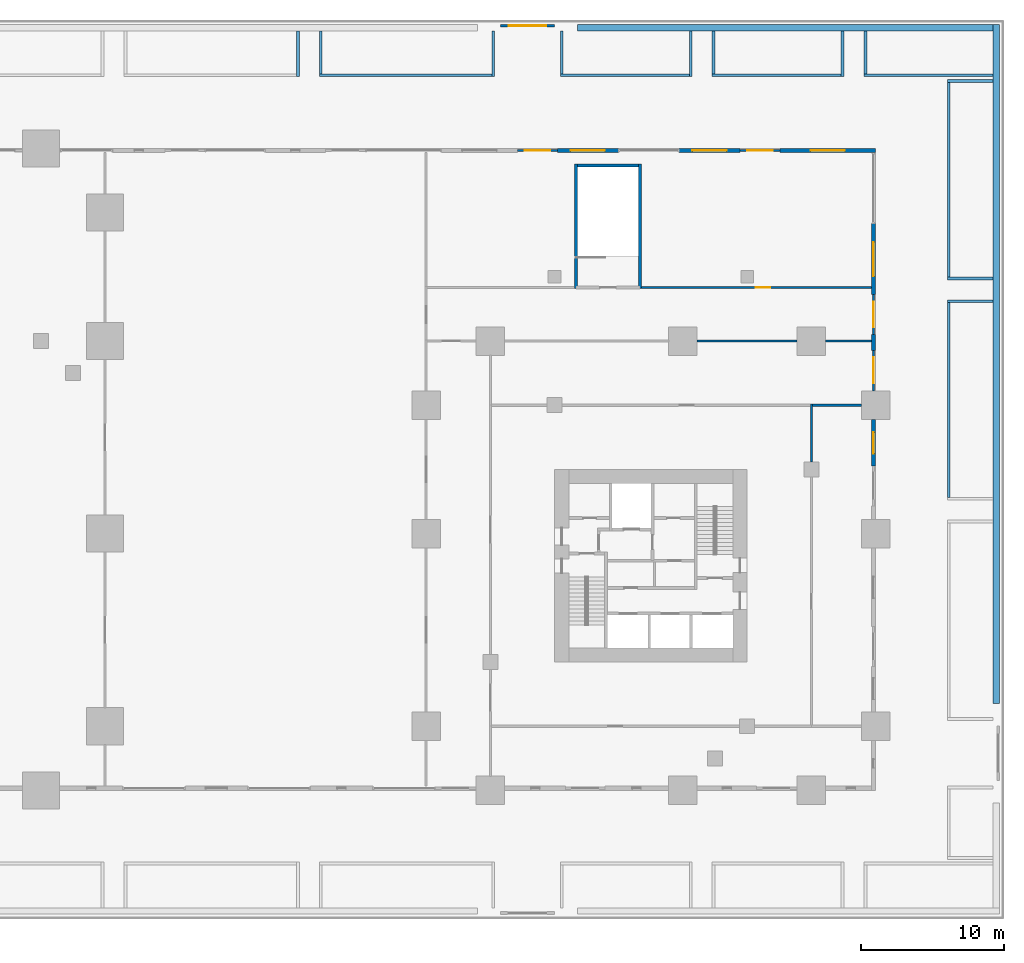
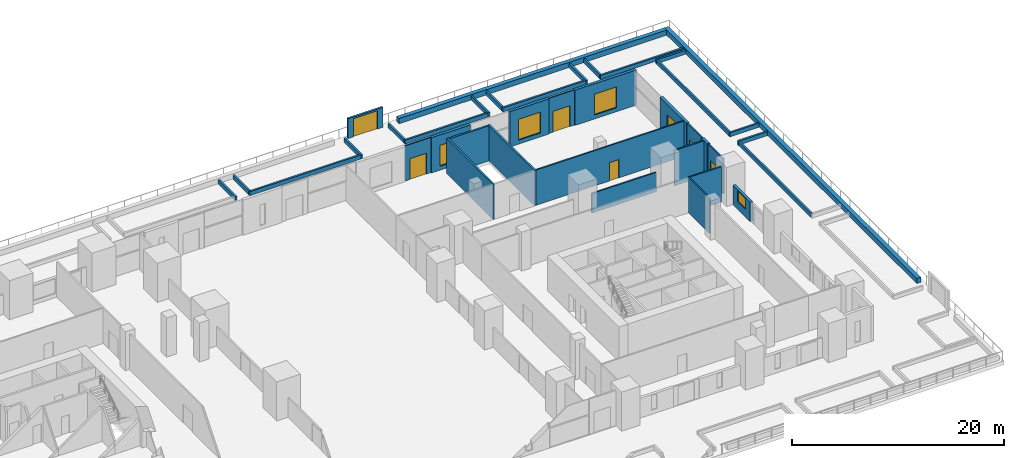
# One storey, part 24 of 26: 38 walls, 6 doors, 5 windows, 11 openings.
"""IFC4 building model written with IfcOpenShell, lengths in metres."""

from ifc_helpers import new_model, si_unit, direction, frame, frame_2d, origin, place, context, subcontext, project, spatial, rectangle, extrude, material, layer, layer_set, type_object, element, fill, save


model = new_model("IFC4")

# Units and contexts
model_context = context("Model", 3, precision=1e-05, world=origin(), true_north=direction((0.0, 1.0)))
body_context = subcontext(model_context, "Body", "Model", "MODEL_VIEW")
ifc_project = project(units=[si_unit("LENGTHUNIT", "METRE"), si_unit("AREAUNIT", "SQUARE_METRE"), si_unit("VOLUMEUNIT", "CUBIC_METRE"), si_unit("PLANEANGLEUNIT", "RADIAN"), si_unit("MASSUNIT", "GRAM", prefix="KILO")], contexts=[model_context])

# Site, building, storey
site_placement = place(None, origin())
site = spatial("IfcSite", under=ifc_project, at=site_placement, CompositionType="ELEMENT")
building_placement = place(site_placement, origin())
building = spatial("IfcBuilding", under=site, at=building_placement, Name="Altepetl Exchange Towers", CompositionType="ELEMENT")
storey_placement = place(building_placement, frame((0.0, 0.0, 16.5)))
storey = spatial("IfcBuildingStorey", under=building, at=storey_placement, Name="L03 Podium terrace", CompositionType="ELEMENT", Elevation=16.5)

# Wall, opening, door
ifc_material_1 = material(Name="Reinforced concrete C35/45", Category="concrete")
ifc_layer_1 = layer(ifc_material_1, 0.199951171875)
ifc_layer_set_1 = layer_set([ifc_layer_1], Name="Reinforced concrete C35/45")
wall_type_1 = type_object("IfcWallType", Name="Garden gate screen wall 200", PredefinedType="SOLIDWALL", material=ifc_layer_set_1)
wall_1_placement = place(storey_placement, frame((99.699951171875, 80.60009765625, 0.0)))
wall_1 = element("IfcWall", 1, at=wall_1_placement, inside=storey, type_object=wall_type_1, Name="wall:P:L03:gateR4", PredefinedType="SOLIDWALL", context=body_context, shape_type="SweptSolid", body=[
    extrude(rectangle(XDim=3.800048828125, YDim=0.199951171875, at=frame_2d((1.89990234375, 0.0))), origin(), (0.0, 0.0, 1.0), 2.300048828125),
])
opening_1_placement = place(wall_1_placement, frame((0.60009765625, 0.0, 0.0)))
opening_1 = element("IfcOpeningElement", 2, at=opening_1_placement, cuts=wall_1, Name="Opening L03.P023", PredefinedType="OPENING", context=body_context, shape_type="SweptSolid", body=[
    extrude(rectangle(XDim=2.60009765625, YDim=2.10009765625, at=frame_2d((1.300048828125, 1.050048828125))), frame((0.0, 0.10986328125, 0.0), z_axis=(0.0, -1.0, 0.0), x_axis=(1.0, 0.0, 0.0)), (0.0, 0.0, 1.0), 0.219970703125),
])
ifc_material_2 = material(Name="Painted steel bars and timber", Category="steel")
door_type_1 = type_object("IfcDoorType", Name="Garden gate 2600 x 2100 double leaf", OperationType="DOUBLE_DOOR_SINGLE_SWING", PredefinedType="GATE", material=ifc_material_2)
door_1_placement = place(opening_1_placement, origin())
door_1 = element("IfcDoor", 3, at=door_1_placement, inside=storey, type_object=door_type_1, Name="door:P:L03:023", OperationType="DOUBLE_DOOR_SINGLE_SWING", OverallHeight=2.10009765625, OverallWidth=2.60009765625, PredefinedType="GATE", context=body_context, shape_type="SweptSolid", body=[
    extrude(rectangle(XDim=2.60009765625, YDim=2.10009765625, at=frame_2d((1.300048828125, 1.050048828125))), frame((0.0, 0.02490234375, 0.0), z_axis=(0.0, -1.0, 0.0), x_axis=(1.0, 0.0, 0.0)), (0.0, 0.0, 1.0), 0.050048828125),
])
fill(opening_1, door_1)

ifc_material_3 = material(Name="Aluminium composite cladding", Category="aluminium")
ifc_layer_2 = layer(ifc_material_3, 0.14990234375)
ifc_layer_set_2 = layer_set([ifc_layer_2], Name="Aluminium composite cladding")
wall_type_2 = type_object("IfcWallType", Name="Infill wall 150 aluminium panel", PredefinedType="SOLIDWALL", material=ifc_layer_set_2)
wall_2_placement = place(storey_placement, frame((125.85009765625, 55.0, 0.0), z_axis=(0.0, 0.0, 1.0), x_axis=(0.0, 1.0, 0.0)))
wall_2 = element("IfcWall", 4, at=wall_2_placement, inside=storey, type_object=wall_type_2, Name="Door bay wall", PredefinedType="SOLIDWALL", context=body_context, shape_type="SweptSolid", body=[
    extrude(rectangle(XDim=2.85009765625, YDim=0.14990234375, at=frame_2d((1.425048828125, 0.0))), origin(), (0.0, 0.0, 1.0), 4.050048828125),
])
opening_2_placement = place(wall_2_placement, frame((0.550048828125, 0.0, 0.0)))
opening_2 = element("IfcOpeningElement", 5, at=opening_2_placement, cuts=wall_2, Name="Opening L03.E16", PredefinedType="OPENING", context=body_context, shape_type="SweptSolid", body=[
    extrude(rectangle(XDim=1.800048828125, YDim=2.39990234375, at=frame_2d((0.89990234375, 1.199951171875))), frame((0.0, 0.0849609375, 0.0), z_axis=(0.0, -1.0, 0.0), x_axis=(1.0, 0.0, 0.0)), (0.0, 0.0, 1.0), 0.169921875),
])
ifc_material_4 = material(Name="Aluminium 6063-T6 and glass", Category="aluminium")
door_type_2 = type_object("IfcDoorType", Name="Glazed door pair 1800x2400", OperationType="DOUBLE_DOOR_DOUBLE_SWING", PredefinedType="NOTDEFINED", material=ifc_material_4)
door_2_placement = place(opening_2_placement, frame((1.800048828125, 0.0, 0.0), x_axis=(-1.0, 0.0, 0.0)))
door_2 = element("IfcDoor", 6, at=door_2_placement, inside=storey, type_object=door_type_2, Name="Terrace door", OperationType="DOUBLE_DOOR_DOUBLE_SWING", OverallHeight=2.39990234375, OverallWidth=1.800048828125, PredefinedType="NOTDEFINED", context=body_context, shape_type="SweptSolid", body=[
    extrude(rectangle(XDim=1.800048828125, YDim=2.39990234375, at=frame_2d((0.89990234375, 1.199951171875))), frame((0.0, 0.02490234375, 0.0), z_axis=(0.0, -1.0, 0.0), x_axis=(1.0, 0.0, 0.0)), (0.0, 0.0, 1.0), 0.050048828125),
])
fill(opening_2, door_2)

wall_3_placement = place(storey_placement, frame((125.85009765625, 58.949951171875, 0.0), z_axis=(0.0, 0.0, 1.0), x_axis=(0.0, 1.0, 0.0)))
wall_3 = element("IfcWall", 7, at=wall_3_placement, inside=storey, type_object=wall_type_2, Name="Door bay wall", PredefinedType="SOLIDWALL", context=body_context, shape_type="SweptSolid", body=[
    extrude(rectangle(XDim=2.800048828125, YDim=0.14990234375, at=frame_2d((1.39990234375, 0.0))), origin(), (0.0, 0.0, 1.0), 4.050048828125),
])
opening_3_placement = place(wall_3_placement, frame((0.5, 0.0, 0.0)))
opening_3 = element("IfcOpeningElement", 8, at=opening_3_placement, cuts=wall_3, Name="Opening L03.E17", PredefinedType="OPENING", context=body_context, shape_type="SweptSolid", body=[
    extrude(rectangle(XDim=1.800048828125, YDim=2.39990234375, at=frame_2d((0.89990234375, 1.199951171875))), frame((0.0, 0.0849609375, 0.0), z_axis=(0.0, -1.0, 0.0), x_axis=(1.0, 0.0, 0.0)), (0.0, 0.0, 1.0), 0.169921875),
])
door_3_placement = place(opening_3_placement, frame((1.800048828125, 0.0, 0.0), x_axis=(-1.0, 0.0, 0.0)))
door_3 = element("IfcDoor", 9, at=door_3_placement, inside=storey, type_object=door_type_2, Name="Terrace door", OperationType="DOUBLE_DOOR_DOUBLE_SWING", OverallHeight=2.39990234375, OverallWidth=1.800048828125, PredefinedType="NOTDEFINED", context=body_context, shape_type="SweptSolid", body=[
    extrude(rectangle(XDim=1.800048828125, YDim=2.39990234375, at=frame_2d((0.89990234375, 1.199951171875))), frame((0.0, 0.02490234375, 0.0), z_axis=(0.0, -1.0, 0.0), x_axis=(1.0, 0.0, 0.0)), (0.0, 0.0, 1.0), 0.050048828125),
])
fill(opening_3, door_3)

wall_4_placement = place(storey_placement, frame((119.300048828125, 71.85009765625, 0.0), z_axis=(0.0, 0.0, 1.0), x_axis=(-1.0, 0.0, 0.0)))
wall_4 = element("IfcWall", 10, at=wall_4_placement, inside=storey, type_object=wall_type_2, Name="Door bay wall", PredefinedType="SOLIDWALL", context=body_context, shape_type="SweptSolid", body=[
    extrude(rectangle(XDim=2.800048828125, YDim=0.14990234375, at=frame_2d((1.39990234375, 0.0))), origin(), (0.0, 0.0, 1.0), 4.050048828125),
])
opening_4_placement = place(wall_4_placement, frame((0.5, 0.0, 0.0)))
opening_4 = element("IfcOpeningElement", 11, at=opening_4_placement, cuts=wall_4, Name="Opening L03.E19", PredefinedType="OPENING", context=body_context, shape_type="SweptSolid", body=[
    extrude(rectangle(XDim=1.800048828125, YDim=2.39990234375, at=frame_2d((0.89990234375, 1.199951171875))), frame((0.0, 0.0849609375, 0.0), z_axis=(0.0, -1.0, 0.0), x_axis=(1.0, 0.0, 0.0)), (0.0, 0.0, 1.0), 0.169921875),
])
door_4_placement = place(opening_4_placement, frame((1.800048828125, 0.0, 0.0), x_axis=(-1.0, 0.0, 0.0)))
door_4 = element("IfcDoor", 12, at=door_4_placement, inside=storey, type_object=door_type_2, Name="Terrace door", OperationType="DOUBLE_DOOR_DOUBLE_SWING", OverallHeight=2.39990234375, OverallWidth=1.800048828125, PredefinedType="NOTDEFINED", context=body_context, shape_type="SweptSolid", body=[
    extrude(rectangle(XDim=1.800048828125, YDim=2.39990234375, at=frame_2d((0.89990234375, 1.199951171875))), frame((0.0, 0.02490234375, 0.0), z_axis=(0.0, -1.0, 0.0), x_axis=(1.0, 0.0, 0.0)), (0.0, 0.0, 1.0), 0.050048828125),
])
fill(opening_4, door_4)

wall_5_placement = place(storey_placement, frame((103.699951171875, 71.85009765625, 0.0), z_axis=(0.0, 0.0, 1.0), x_axis=(-1.0, 0.0, 0.0)))
wall_5 = element("IfcWall", 13, at=wall_5_placement, inside=storey, type_object=wall_type_2, Name="Door bay wall", PredefinedType="SOLIDWALL", context=body_context, shape_type="SweptSolid", body=[
    extrude(rectangle(XDim=2.800048828125, YDim=0.14990234375, at=frame_2d((1.39990234375, 0.0))), origin(), (0.0, 0.0, 1.0), 4.050048828125),
])
opening_5_placement = place(wall_5_placement, frame((0.5, 0.0, 0.0)))
opening_5 = element("IfcOpeningElement", 14, at=opening_5_placement, cuts=wall_5, Name="Opening L03.E18", PredefinedType="OPENING", context=body_context, shape_type="SweptSolid", body=[
    extrude(rectangle(XDim=1.800048828125, YDim=2.39990234375, at=frame_2d((0.89990234375, 1.199951171875))), frame((0.0, 0.0849609375, 0.0), z_axis=(0.0, -1.0, 0.0), x_axis=(1.0, 0.0, 0.0)), (0.0, 0.0, 1.0), 0.169921875),
])
door_5_placement = place(opening_5_placement, frame((1.800048828125, 0.0, 0.0), x_axis=(-1.0, 0.0, 0.0)))
door_5 = element("IfcDoor", 15, at=door_5_placement, inside=storey, type_object=door_type_2, Name="Terrace door", OperationType="DOUBLE_DOOR_DOUBLE_SWING", OverallHeight=2.39990234375, OverallWidth=1.800048828125, PredefinedType="NOTDEFINED", context=body_context, shape_type="SweptSolid", body=[
    extrude(rectangle(XDim=1.800048828125, YDim=2.39990234375, at=frame_2d((0.89990234375, 1.199951171875))), frame((0.0, 0.02490234375, 0.0), z_axis=(0.0, -1.0, 0.0), x_axis=(1.0, 0.0, 0.0)), (0.0, 0.0, 1.0), 0.050048828125),
])
fill(opening_5, door_5)

# Walls
ifc_material_5 = material(Name="Concrete C30/37", Category="concrete")
ifc_layer_3 = layer(ifc_material_5, 0.449951171875)
ifc_layer_set_3 = layer_set([ifc_layer_3], Name="Concrete C30/37")
wall_type_3 = type_object("IfcWallType", Name="Planter wall 450 concrete", PredefinedType="SOLIDWALL", material=ifc_layer_set_3)
wall_6_placement = place(storey_placement, frame((134.449951171875, 33.092529296875, 0.0), z_axis=(0.0, 0.0, 1.0), x_axis=(0.0, 1.0, 0.0)))
element("IfcWall", 16, at=wall_6_placement, inside=storey, type_object=wall_type_3, Name="Planter bed wall", PredefinedType="SOLIDWALL", context=body_context, shape_type="SweptSolid", body=[
    extrude(rectangle(XDim=47.58251953125, YDim=0.449951171875, at=frame_2d((23.791259765625, 0.0))), origin(), (0.0, 0.0, 1.0), 0.60009765625),
])
wall_7_placement = place(storey_placement, frame((134.22509765625, 80.449951171875, 0.0), z_axis=(0.0, 0.0, 1.0), x_axis=(-1.0, 0.0, 0.0)))
element("IfcWall", 17, at=wall_7_placement, inside=storey, type_object=wall_type_3, Name="Planter bed wall", PredefinedType="SOLIDWALL", context=body_context, shape_type="SweptSolid", body=[
    extrude(rectangle(XDim=29.132568359375, YDim=0.449951171875, at=frame_2d((14.56640625, 0.0))), origin(), (0.0, 0.0, 1.0), 0.60009765625),
])
ifc_layer_4 = layer(ifc_material_1, 0.199951171875)
ifc_layer_set_4 = layer_set([ifc_layer_4], Name="Reinforced concrete C35/45")
wall_type_4 = type_object("IfcWallType", Name="Planting bed curb 200", PredefinedType="SOLIDWALL", material=ifc_layer_set_4)
wall_8_placement = place(storey_placement, frame((113.041748046875, 77.02490234375, 0.0), z_axis=(0.0, 0.0, 1.0), x_axis=(0.0, 1.0, 0.0)))
element("IfcWall", 18, at=wall_8_placement, inside=storey, type_object=wall_type_4, Name="wall:P:L03:CB10e", PredefinedType="SOLIDWALL", context=body_context, shape_type="SweptSolid", body=[
    extrude(rectangle(XDim=3.2001953125, YDim=0.199951171875, at=frame_2d((1.60009765625, 0.0))), origin(), (0.0, 0.0, 1.0), 0.449951171875),
])
wall_9_placement = place(storey_placement, frame((103.89990234375, 77.125, 0.0)))
element("IfcWall", 19, at=wall_9_placement, inside=storey, type_object=wall_type_4, Name="wall:P:L03:CB10s", PredefinedType="SOLIDWALL", context=body_context, shape_type="SweptSolid", body=[
    extrude(rectangle(XDim=9.041748046875, YDim=0.199951171875, at=frame_2d((4.52099609375, 0.0))), origin(), (0.0, 0.0, 1.0), 0.449951171875),
])
wall_10_placement = place(storey_placement, frame((104.0, 77.22509765625, 0.0), z_axis=(0.0, 0.0, 1.0), x_axis=(0.0, 1.0, 0.0)))
element("IfcWall", 20, at=wall_10_placement, inside=storey, type_object=wall_type_4, Name="wall:P:L03:CB10w", PredefinedType="SOLIDWALL", context=body_context, shape_type="SweptSolid", body=[
    extrude(rectangle(XDim=3.0, YDim=0.199951171875, at=frame_2d((1.5, 0.0))), origin(), (0.0, 0.0, 1.0), 0.449951171875),
])
wall_11_placement = place(storey_placement, frame((123.683349609375, 77.02490234375, 0.0), z_axis=(0.0, 0.0, 1.0), x_axis=(0.0, 1.0, 0.0)))
element("IfcWall", 21, at=wall_11_placement, inside=storey, type_object=wall_type_4, Name="wall:P:L03:CB11e", PredefinedType="SOLIDWALL", context=body_context, shape_type="SweptSolid", body=[
    extrude(rectangle(XDim=3.2001953125, YDim=0.199951171875, at=frame_2d((1.60009765625, 0.0))), origin(), (0.0, 0.0, 1.0), 0.449951171875),
])
wall_12_placement = place(storey_placement, frame((114.541748046875, 77.125, 0.0)))
element("IfcWall", 22, at=wall_12_placement, inside=storey, type_object=wall_type_4, Name="wall:P:L03:CB11s", PredefinedType="SOLIDWALL", context=body_context, shape_type="SweptSolid", body=[
    extrude(rectangle(XDim=9.04150390625, YDim=0.199951171875, at=frame_2d((4.520751953125, 0.0))), origin(), (0.0, 0.0, 1.0), 0.449951171875),
])
wall_13_placement = place(storey_placement, frame((114.6416015625, 77.22509765625, 0.0), z_axis=(0.0, 0.0, 1.0), x_axis=(0.0, 1.0, 0.0)))
element("IfcWall", 23, at=wall_13_placement, inside=storey, type_object=wall_type_4, Name="wall:P:L03:CB11w", PredefinedType="SOLIDWALL", context=body_context, shape_type="SweptSolid", body=[
    extrude(rectangle(XDim=3.0, YDim=0.199951171875, at=frame_2d((1.5, 0.0))), origin(), (0.0, 0.0, 1.0), 0.449951171875),
])
wall_14_placement = place(storey_placement, frame((125.183349609375, 77.125, 0.0)))
element("IfcWall", 24, at=wall_14_placement, inside=storey, type_object=wall_type_4, Name="wall:P:L03:CB12s", PredefinedType="SOLIDWALL", context=body_context, shape_type="SweptSolid", body=[
    extrude(rectangle(XDim=9.041748046875, YDim=0.199951171875, at=frame_2d((4.52099609375, 0.0))), origin(), (0.0, 0.0, 1.0), 0.449951171875),
])
wall_15_placement = place(storey_placement, frame((125.283203125, 77.22509765625, 0.0), z_axis=(0.0, 0.0, 1.0), x_axis=(0.0, 1.0, 0.0)))
element("IfcWall", 25, at=wall_15_placement, inside=storey, type_object=wall_type_4, Name="wall:P:L03:CB12w", PredefinedType="SOLIDWALL", context=body_context, shape_type="SweptSolid", body=[
    extrude(rectangle(XDim=3.0, YDim=0.199951171875, at=frame_2d((1.5, 0.0))), origin(), (0.0, 0.0, 1.0), 0.449951171875),
])
for number, where, z_axis, x_axis, name in (
    (26, (85.512451171875, 77.02490234375, 0.0), (0.0, 0.0, 1.0), (0.0, 1.0, 0.0), "wall:P:L03:CB17e"),
    (27, (99.199951171875, 77.02490234375, 0.0), (0.0, 0.0, 1.0), (0.0, 1.0, 0.0), "wall:P:L03:CB18e"),
):
    element("IfcWall", number, at=place(storey_placement, frame(where, z_axis=z_axis, x_axis=x_axis)), inside=storey, type_object=wall_type_4, Name=name, PredefinedType="SOLIDWALL", context=body_context, shape_type="SweptSolid", body=[
        extrude(rectangle(XDim=3.2001953125, YDim=0.199951171875, at=frame_2d((1.60009765625, 0.0))), origin(), (0.0, 0.0, 1.0), 0.449951171875),
    ])
wall_16_placement = place(storey_placement, frame((87.012451171875, 77.125, 0.0)))
element("IfcWall", 28, at=wall_16_placement, inside=storey, type_object=wall_type_4, Name="wall:P:L03:CB18s", PredefinedType="SOLIDWALL", context=body_context, shape_type="SweptSolid", body=[
    extrude(rectangle(XDim=12.087646484375, YDim=0.199951171875, at=frame_2d((6.0439453125, 0.0))), origin(), (0.0, 0.0, 1.0), 0.449951171875),
])
wall_17_placement = place(storey_placement, frame((87.112548828125, 77.22509765625, 0.0), z_axis=(0.0, 0.0, 1.0), x_axis=(0.0, 1.0, 0.0)))
element("IfcWall", 29, at=wall_17_placement, inside=storey, type_object=wall_type_4, Name="wall:P:L03:CB18w", PredefinedType="SOLIDWALL", context=body_context, shape_type="SweptSolid", body=[
    extrude(rectangle(XDim=3.0, YDim=0.199951171875, at=frame_2d((1.5, 0.0))), origin(), (0.0, 0.0, 1.0), 0.449951171875),
])
wall_18_placement = place(storey_placement, frame((131.02490234375, 61.283203125, 0.0)))
element("IfcWall", 30, at=wall_18_placement, inside=storey, type_object=wall_type_4, Name="wall:P:L03:CB25n", PredefinedType="SOLIDWALL", context=body_context, shape_type="SweptSolid", body=[
    extrude(rectangle(XDim=3.2001953125, YDim=0.199951171875, at=frame_2d((1.60009765625, 0.0))), origin(), (0.0, 0.0, 1.0), 0.449951171875),
])
wall_19_placement = place(storey_placement, frame((131.125, 47.541748046875, 0.0), z_axis=(0.0, 0.0, 1.0), x_axis=(0.0, 1.0, 0.0)))
element("IfcWall", 31, at=wall_19_placement, inside=storey, type_object=wall_type_4, Name="wall:P:L03:CB25w", PredefinedType="SOLIDWALL", context=body_context, shape_type="SweptSolid", body=[
    extrude(rectangle(XDim=13.6416015625, YDim=0.199951171875, at=frame_2d((6.82080078125, 0.0))), origin(), (0.0, 0.0, 1.0), 0.449951171875),
])
for number, where, name in (
    (32, (131.02490234375, 76.72509765625, 0.0), "wall:P:L03:CB26n"),
    (33, (131.02490234375, 62.88330078125, 0.0), "wall:P:L03:CB26s"),
):
    element("IfcWall", number, at=place(storey_placement, frame(where)), inside=storey, type_object=wall_type_4, Name=name, PredefinedType="SOLIDWALL", context=body_context, shape_type="SweptSolid", body=[
        extrude(rectangle(XDim=3.2001953125, YDim=0.199951171875, at=frame_2d((1.60009765625, 0.0))), origin(), (0.0, 0.0, 1.0), 0.449951171875),
    ])
wall_20_placement = place(storey_placement, frame((131.125, 62.9833984375, 0.0), z_axis=(0.0, 0.0, 1.0), x_axis=(0.0, 1.0, 0.0)))
element("IfcWall", 34, at=wall_20_placement, inside=storey, type_object=wall_type_4, Name="wall:P:L03:CB26w", PredefinedType="SOLIDWALL", context=body_context, shape_type="SweptSolid", body=[
    extrude(rectangle(XDim=13.6416015625, YDim=0.199951171875, at=frame_2d((6.82080078125, 0.0))), origin(), (0.0, 0.0, 1.0), 0.449951171875),
])
ifc_material_6 = material(Name="Gypsum board on steel studs", Category="steel")
ifc_layer_5 = layer(ifc_material_6, 0.14990234375)
ifc_layer_set_5 = layer_set([ifc_layer_5], Name="Gypsum board on steel studs")
wall_type_5 = type_object("IfcWallType", Name="Podium partition 150", PredefinedType="PARTITIONING", material=ifc_layer_set_5)
wall_21_placement = place(storey_placement, frame((121.5, 50.02001953125, 0.0), z_axis=(0.0, 0.0, 1.0), x_axis=(0.0, 1.0, 0.0)))
element("IfcWall", 35, at=wall_21_placement, inside=storey, type_object=wall_type_5, Name="wall:P:L03:P041", PredefinedType="PARTITIONING", context=body_context, shape_type="SweptSolid", body=[
    extrude(rectangle(XDim=4.054931640625, YDim=0.14990234375, at=frame_2d((2.02734375, 0.0))), origin(), (0.0, 0.0, 1.0), 4.050048828125),
])
wall_22_placement = place(storey_placement, frame((121.574951171875, 54.0, 0.0)))
element("IfcWall", 36, at=wall_22_placement, inside=storey, type_object=wall_type_5, Name="wall:P:L03:P045", PredefinedType="PARTITIONING", context=body_context, shape_type="SweptSolid", body=[
    extrude(rectangle(XDim=3.429931640625, YDim=0.14990234375, at=frame_2d((1.71484375, 0.0))), origin(), (0.0, 0.0, 1.0), 4.050048828125),
])
wall_23_placement = place(storey_placement, frame((113.4951171875, 58.5, 0.0)))
element("IfcWall", 37, at=wall_23_placement, inside=storey, type_object=wall_type_5, Name="wall:P:L03:P047", PredefinedType="PARTITIONING", context=body_context, shape_type="SweptSolid", body=[
    extrude(rectangle(XDim=7.009765625, YDim=0.14990234375, at=frame_2d((3.5048828125, 0.0))), origin(), (0.0, 0.0, 1.0), 2.25),
])
wall_24_placement = place(storey_placement, frame((122.4951171875, 58.5, 0.0)))
element("IfcWall", 38, at=wall_24_placement, inside=storey, type_object=wall_type_5, Name="wall:P:L03:P048", PredefinedType="PARTITIONING", context=body_context, shape_type="SweptSolid", body=[
    extrude(rectangle(XDim=3.204833984375, YDim=0.14990234375, at=frame_2d((1.6025390625, 0.0))), origin(), (0.0, 0.0, 1.0), 4.050048828125),
])

# Wall, opening, door
wall_25_placement = place(storey_placement, frame((109.60009765625, 62.25, 0.0)))
wall_25 = element("IfcWall", 39, at=wall_25_placement, inside=storey, type_object=wall_type_5, Name="wall:P:L03:P050", PredefinedType="PARTITIONING", context=body_context, shape_type="SweptSolid", body=[
    extrude(rectangle(XDim=16.099853515625, YDim=0.14990234375, at=frame_2d((8.0498046875, 0.0))), origin(), (0.0, 0.0, 1.0), 4.050048828125),
])
opening_6_placement = place(wall_25_placement, frame((8.0, 0.0, 0.0)))
opening_6 = element("IfcOpeningElement", 40, at=opening_6_placement, cuts=wall_25, Name="Opening L03.P010", PredefinedType="OPENING", context=body_context, shape_type="SweptSolid", body=[
    extrude(rectangle(XDim=1.0, YDim=2.10009765625, at=frame_2d((0.5, 1.050048828125))), frame((0.0, 0.0849609375, 0.0), z_axis=(0.0, -1.0, 0.0), x_axis=(1.0, 0.0, 0.0)), (0.0, 0.0, 1.0), 0.169921875),
])
ifc_material_7 = material(Name="Steel and timber fire door", Category="steel")
door_type_3 = type_object("IfcDoorType", Name="Podium fire door 1000 x 2100 single leaf", OperationType="SINGLE_SWING_LEFT", PredefinedType="DOOR", material=ifc_material_7)
door_6_placement = place(opening_6_placement, origin())
door_6 = element("IfcDoor", 41, at=door_6_placement, inside=storey, type_object=door_type_3, Name="door:P:L03:010", OperationType="SINGLE_SWING_RIGHT", OverallHeight=2.10009765625, OverallWidth=1.0, PredefinedType="DOOR", context=body_context, shape_type="SweptSolid", body=[
    extrude(rectangle(XDim=1.0, YDim=2.10009765625, at=frame_2d((0.5, 1.050048828125))), frame((0.0, 0.02490234375, 0.0), z_axis=(0.0, -1.0, 0.0), x_axis=(1.0, 0.0, 0.0)), (0.0, 0.0, 1.0), 0.050048828125),
])
fill(opening_6, door_6)

# Walls
ifc_layer_6 = layer(ifc_material_1, 0.199951171875)
ifc_layer_set_6 = layer_set([ifc_layer_6], Name="Reinforced concrete C35/45")
wall_type_6 = type_object("IfcWallType", Name="Stair enclosure wall 200", PredefinedType="SOLIDWALL", material=ifc_layer_set_6)
for number, where, z_axis, x_axis, name in (
    (42, (105.0, 62.175048828125, 0.0), (0.0, 0.0, 1.0), (0.0, 1.0, 0.0), "wall:P:L03:P052"),
    (43, (109.5, 62.175048828125, 0.0), (0.0, 0.0, 1.0), (0.0, 1.0, 0.0), "wall:P:L03:P053"),
):
    element("IfcWall", number, at=place(storey_placement, frame(where, z_axis=z_axis, x_axis=x_axis)), inside=storey, type_object=wall_type_6, Name=name, PredefinedType="SOLIDWALL", context=body_context, shape_type="SweptSolid", body=[
        extrude(rectangle(XDim=8.724853515625, YDim=0.199951171875, at=frame_2d((4.3623046875, 0.0))), origin(), (0.0, 0.0, 1.0), 4.050048828125),
    ])
wall_26_placement = place(storey_placement, frame((105.10009765625, 70.800048828125, 0.0)))
element("IfcWall", 44, at=wall_26_placement, inside=storey, type_object=wall_type_6, Name="wall:P:L03:P054", PredefinedType="SOLIDWALL", context=body_context, shape_type="SweptSolid", body=[
    extrude(rectangle(XDim=4.2998046875, YDim=0.199951171875, at=frame_2d((2.14990234375, 0.0))), origin(), (0.0, 0.0, 1.0), 4.050048828125),
])

# Wall, opening, window
ifc_material_8 = material(Name="Cantera limestone cladding", Category="masonry")
ifc_layer_7 = layer(ifc_material_8, 0.300048828125)
ifc_layer_set_7 = layer_set([ifc_layer_7], Name="Cantera limestone cladding")
wall_type_7 = type_object("IfcWallType", Name="Stone wall panel 300", PredefinedType="ELEMENTEDWALL", material=ifc_layer_set_7)
wall_27_placement = place(storey_placement, frame((125.85009765625, 49.75, 0.0), z_axis=(0.0, 0.0, 1.0), x_axis=(0.0, 1.0, 0.0)))
wall_27 = element("IfcWall", 45, at=wall_27_placement, inside=storey, type_object=wall_type_7, Name="Stone wall panel", PredefinedType="ELEMENTEDWALL", context=body_context, shape_type="SweptSolid", body=[
    extrude(rectangle(XDim=3.25, YDim=0.300048828125, at=frame_2d((1.625, 0.0))), origin(), (0.0, 0.0, 1.0), 2.25),
])
opening_7_placement = place(wall_27_placement, frame((0.85009765625, 0.0, 0.89990234375)))
opening_7 = element("IfcOpeningElement", 46, at=opening_7_placement, cuts=wall_27, Name="Opening W5", PredefinedType="OPENING", context=body_context, shape_type="SweptSolid", body=[
    extrude(rectangle(XDim=1.5, YDim=1.25, at=frame_2d((0.75, 0.625))), frame((0.0, 0.16015625, 0.0), z_axis=(0.0, -1.0, 0.0), x_axis=(1.0, 0.0, 0.0)), (0.0, 0.0, 1.0), 0.320068359375),
])
ifc_material_9 = material(Name="Timber and glass", Category="wood")
window_type_1 = type_object("IfcWindowType", Name="Punched window 1500x1250", PartitioningType="SINGLE_PANEL", PredefinedType="WINDOW", material=ifc_material_9)
window_1_placement = place(opening_7_placement, origin())
window_1 = element("IfcWindow", 47, at=window_1_placement, inside=storey, type_object=window_type_1, Name="Window", OverallHeight=1.25, OverallWidth=1.5, PartitioningType="SINGLE_PANEL", PredefinedType="WINDOW", context=body_context, shape_type="SweptSolid", body=[
    extrude(rectangle(XDim=1.5, YDim=1.25, at=frame_2d((0.75, 0.625))), frame((0.0, 0.030029296875, 0.0), z_axis=(0.0, -1.0, 0.0), x_axis=(1.0, 0.0, 0.0)), (0.0, 0.0, 1.0), 0.06005859375),
])
fill(opening_7, window_1)

# Wall
wall_28_placement = place(storey_placement, frame((125.85009765625, 57.85009765625, 0.0), z_axis=(0.0, 0.0, 1.0), x_axis=(0.0, 1.0, 0.0)))
element("IfcWall", 48, at=wall_28_placement, inside=storey, type_object=wall_type_7, Name="Stone wall panel", PredefinedType="ELEMENTEDWALL", context=body_context, shape_type="SweptSolid", body=[
    extrude(rectangle(XDim=1.099853515625, YDim=0.300048828125, at=frame_2d((0.5498046875, 0.0))), origin(), (0.0, 0.0, 1.0), 4.050048828125),
])

# Wall, opening, window
wall_29_placement = place(storey_placement, frame((125.85009765625, 61.75, 0.0), z_axis=(0.0, 0.0, 1.0), x_axis=(0.0, 1.0, 0.0)))
wall_29 = element("IfcWall", 49, at=wall_29_placement, inside=storey, type_object=wall_type_7, Name="Stone wall panel", PredefinedType="ELEMENTEDWALL", context=body_context, shape_type="SweptSolid", body=[
    extrude(rectangle(XDim=4.97509765625, YDim=0.300048828125, at=frame_2d((2.487548828125, 0.0))), origin(), (0.0, 0.0, 1.0), 4.050048828125),
])
opening_8_placement = place(wall_29_placement, frame((1.28759765625, 0.0, 0.449951171875)))
opening_8 = element("IfcOpeningElement", 50, at=opening_8_placement, cuts=wall_29, Name="Opening W1", PredefinedType="OPENING", context=body_context, shape_type="SweptSolid", body=[
    extrude(rectangle(XDim=2.39990234375, YDim=2.39990234375, at=frame_2d((1.199951171875, 1.199951171875))), frame((0.0, 0.16015625, 0.0), z_axis=(0.0, -1.0, 0.0), x_axis=(1.0, 0.0, 0.0)), (0.0, 0.0, 1.0), 0.320068359375),
])
window_type_2 = type_object("IfcWindowType", Name="Shopfront window 2400x2400", PartitioningType="SINGLE_PANEL", PredefinedType="WINDOW", material=ifc_material_4)
window_2_placement = place(opening_8_placement, origin())
window_2 = element("IfcWindow", 51, at=window_2_placement, inside=storey, type_object=window_type_2, Name="Window", OverallHeight=2.39990234375, OverallWidth=2.39990234375, PartitioningType="SINGLE_PANEL", PredefinedType="WINDOW", context=body_context, shape_type="SweptSolid", body=[
    extrude(rectangle(XDim=2.39990234375, YDim=2.39990234375, at=frame_2d((1.199951171875, 1.199951171875))), frame((0.0, 0.030029296875, 0.0), z_axis=(0.0, -1.0, 0.0), x_axis=(1.0, 0.0, 0.0)), (0.0, 0.0, 1.0), 0.06005859375),
])
fill(opening_8, window_2)

wall_30_placement = place(storey_placement, frame((126.0, 71.85009765625, 0.0), z_axis=(0.0, 0.0, 1.0), x_axis=(-1.0, 0.0, 0.0)))
wall_30 = element("IfcWall", 52, at=wall_30_placement, inside=storey, type_object=wall_type_7, Name="Stone wall panel", PredefinedType="ELEMENTEDWALL", context=body_context, shape_type="SweptSolid", body=[
    extrude(rectangle(XDim=6.699951171875, YDim=0.300048828125, at=frame_2d((3.35009765625, 0.0))), origin(), (0.0, 0.0, 1.0), 4.050048828125),
])
opening_9_placement = place(wall_30_placement, frame((2.14990234375, 0.0, 0.449951171875)))
opening_9 = element("IfcOpeningElement", 53, at=opening_9_placement, cuts=wall_30, Name="Opening W1", PredefinedType="OPENING", context=body_context, shape_type="SweptSolid", body=[
    extrude(rectangle(XDim=2.39990234375, YDim=2.39990234375, at=frame_2d((1.199951171875, 1.199951171875))), frame((0.0, 0.16015625, 0.0), z_axis=(0.0, -1.0, 0.0), x_axis=(1.0, 0.0, 0.0)), (0.0, 0.0, 1.0), 0.320068359375),
])
window_3_placement = place(opening_9_placement, origin())
window_3 = element("IfcWindow", 54, at=window_3_placement, inside=storey, type_object=window_type_2, Name="Window", OverallHeight=2.39990234375, OverallWidth=2.39990234375, PartitioningType="SINGLE_PANEL", PredefinedType="WINDOW", context=body_context, shape_type="SweptSolid", body=[
    extrude(rectangle(XDim=2.39990234375, YDim=2.39990234375, at=frame_2d((1.199951171875, 1.199951171875))), frame((0.0, 0.030029296875, 0.0), z_axis=(0.0, -1.0, 0.0), x_axis=(1.0, 0.0, 0.0)), (0.0, 0.0, 1.0), 0.06005859375),
])
fill(opening_9, window_3)

wall_31_placement = place(storey_placement, frame((116.5, 71.85009765625, 0.0), z_axis=(0.0, 0.0, 1.0), x_axis=(-1.0, 0.0, 0.0)))
wall_31 = element("IfcWall", 55, at=wall_31_placement, inside=storey, type_object=wall_type_7, Name="Stone wall panel", PredefinedType="ELEMENTEDWALL", context=body_context, shape_type="SweptSolid", body=[
    extrude(rectangle(XDim=4.2666015625, YDim=0.300048828125, at=frame_2d((2.13330078125, 0.0))), origin(), (0.0, 0.0, 1.0), 4.050048828125),
])
opening_10_placement = place(wall_31_placement, frame((0.933349609375, 0.0, 0.449951171875)))
opening_10 = element("IfcOpeningElement", 56, at=opening_10_placement, cuts=wall_31, Name="Opening W1", PredefinedType="OPENING", context=body_context, shape_type="SweptSolid", body=[
    extrude(rectangle(XDim=2.39990234375, YDim=2.39990234375, at=frame_2d((1.199951171875, 1.199951171875))), frame((0.0, 0.16015625, 0.0), z_axis=(0.0, -1.0, 0.0), x_axis=(1.0, 0.0, 0.0)), (0.0, 0.0, 1.0), 0.320068359375),
])
window_4_placement = place(opening_10_placement, origin())
window_4 = element("IfcWindow", 57, at=window_4_placement, inside=storey, type_object=window_type_2, Name="Window", OverallHeight=2.39990234375, OverallWidth=2.39990234375, PartitioningType="SINGLE_PANEL", PredefinedType="WINDOW", context=body_context, shape_type="SweptSolid", body=[
    extrude(rectangle(XDim=2.39990234375, YDim=2.39990234375, at=frame_2d((1.199951171875, 1.199951171875))), frame((0.0, 0.030029296875, 0.0), z_axis=(0.0, -1.0, 0.0), x_axis=(1.0, 0.0, 0.0)), (0.0, 0.0, 1.0), 0.06005859375),
])
fill(opening_10, window_4)

wall_32_placement = place(storey_placement, frame((107.966552734375, 71.85009765625, 0.0), z_axis=(0.0, 0.0, 1.0), x_axis=(-1.0, 0.0, 0.0)))
wall_32 = element("IfcWall", 58, at=wall_32_placement, inside=storey, type_object=wall_type_7, Name="Stone wall panel", PredefinedType="ELEMENTEDWALL", context=body_context, shape_type="SweptSolid", body=[
    extrude(rectangle(XDim=4.2666015625, YDim=0.300048828125, at=frame_2d((2.13330078125, 0.0))), origin(), (0.0, 0.0, 1.0), 4.050048828125),
])
opening_11_placement = place(wall_32_placement, frame((0.933349609375, 0.0, 0.449951171875)))
opening_11 = element("IfcOpeningElement", 59, at=opening_11_placement, cuts=wall_32, Name="Opening W1", PredefinedType="OPENING", context=body_context, shape_type="SweptSolid", body=[
    extrude(rectangle(XDim=2.39990234375, YDim=2.39990234375, at=frame_2d((1.199951171875, 1.199951171875))), frame((0.0, 0.16015625, 0.0), z_axis=(0.0, -1.0, 0.0), x_axis=(1.0, 0.0, 0.0)), (0.0, 0.0, 1.0), 0.320068359375),
])
window_5_placement = place(opening_11_placement, origin())
window_5 = element("IfcWindow", 60, at=window_5_placement, inside=storey, type_object=window_type_2, Name="Window", OverallHeight=2.39990234375, OverallWidth=2.39990234375, PartitioningType="SINGLE_PANEL", PredefinedType="WINDOW", context=body_context, shape_type="SweptSolid", body=[
    extrude(rectangle(XDim=2.39990234375, YDim=2.39990234375, at=frame_2d((1.199951171875, 1.199951171875))), frame((0.0, 0.030029296875, 0.0), z_axis=(0.0, -1.0, 0.0), x_axis=(1.0, 0.0, 0.0)), (0.0, 0.0, 1.0), 0.06005859375),
])
fill(opening_11, window_5)

save(model, "model.ifc")
